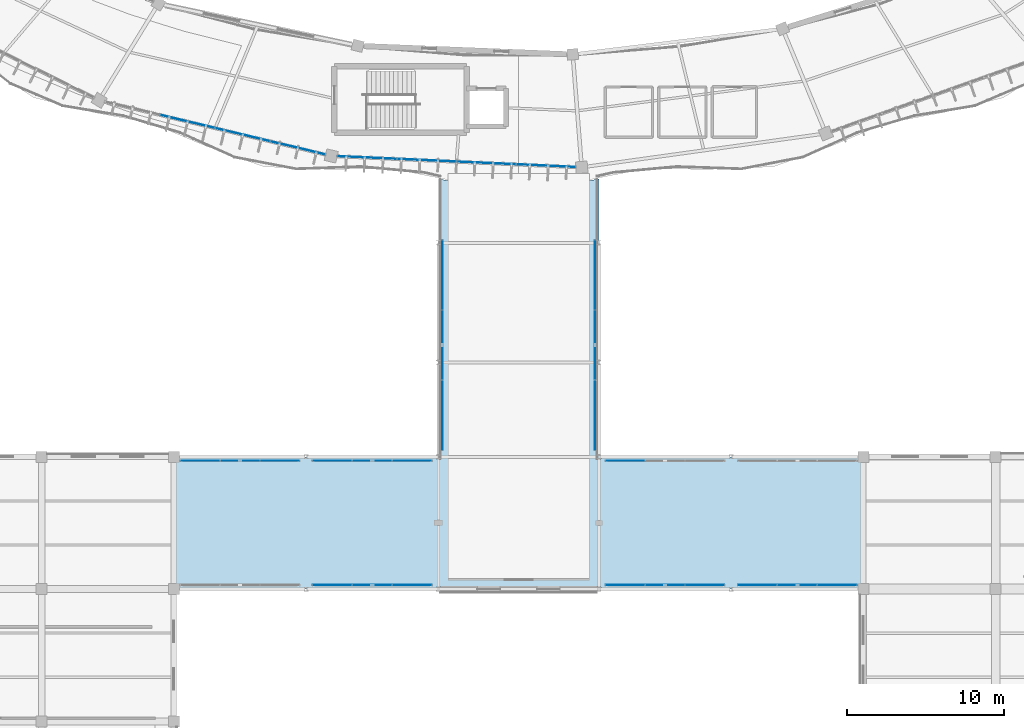
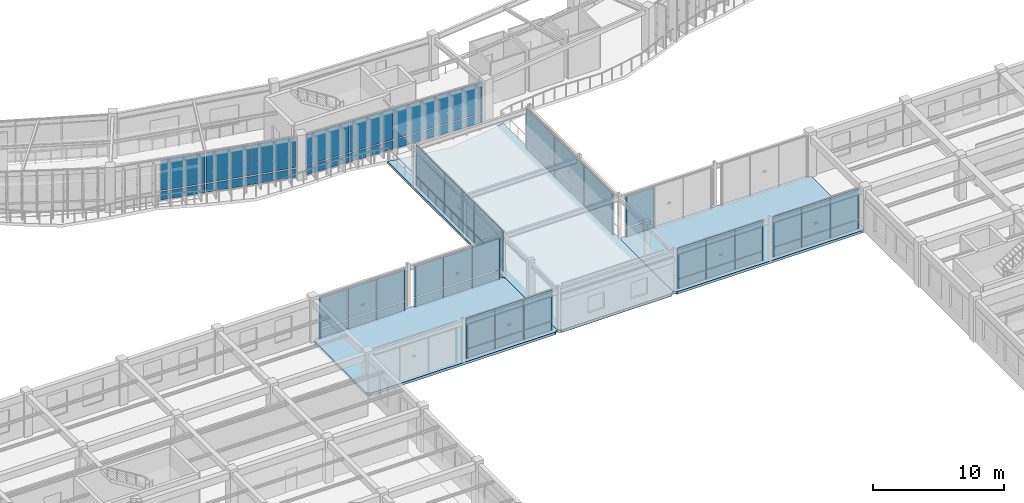
# One storey, part 112 of 152: 58 plates, 3 slabs, 10 elements without a shape of their own.
"""IFC4 building model written with IfcOpenShell, lengths in metres."""

from ifc_helpers import new_model, si_unit, direction, frame, origin, origin_2d, place, context, subcontext, project, spatial, polyline, rectangle, outline, extrude, material, layer, layer_set, type_object, element, aggregate, save


model = new_model("IFC4")

# Units and contexts
model_context = context("Model", 3, precision=1e-05, world=origin(), true_north=direction((0.0, 1.0)))
body_context = subcontext(model_context, "Body", "Model", "MODEL_VIEW")
ifc_project = project(units=[si_unit("LENGTHUNIT", "METRE"), si_unit("AREAUNIT", "SQUARE_METRE"), si_unit("VOLUMEUNIT", "CUBIC_METRE"), si_unit("PLANEANGLEUNIT", "RADIAN"), si_unit("MASSUNIT", "GRAM", prefix="KILO"), si_unit("THERMODYNAMICTEMPERATUREUNIT", "KELVIN"), si_unit("POWERUNIT", "WATT")], contexts=[model_context])

# Site, building, storey
site_placement = place(None, origin())
site = spatial("IfcSite", under=ifc_project, at=site_placement, CompositionType="ELEMENT")
building_placement = place(site_placement, origin())
building = spatial("IfcBuilding", under=site, at=building_placement, Name="Darbajah Civic Hall", CompositionType="ELEMENT")
storey_placement = place(building_placement, frame((0.0, 0.0, 5.39990234375)))
storey = spatial("IfcBuildingStorey", under=building, at=storey_placement, Name="L01", CompositionType="ELEMENT", Elevation=5.39990234375)

# Curtain wall, plates
ifc_material_1 = material(Name="Anodised Bronze Aluminium and Low-E Glazing", Category="aluminium")
curtain_wall_type_1 = type_object("IfcCurtainWallType", Name="Unitised Curtain Wall CW-32 15200x3900", PredefinedType="USERDEFINED", material=ifc_material_1)
curtain_wall_1_placement = place(storey_placement, origin())
curtain_wall_1 = element("IfcCurtainWall", 1, at=curtain_wall_1_placement, inside=storey, type_object=curtain_wall_type_1, Name="L01 unitised curtain wall CW-V1O-L01-14", ObjectType="UNITISED CURTAIN WALL", PredefinedType="USERDEFINED")
ifc_material_2 = material(Name="Low-E Solar Control Double Glazing", Category="glass")
ifc_layer_1 = layer(ifc_material_2, 0.02392578125, Name="Low-E Solar Control Double Glazing")
ifc_layer_set_1 = layer_set([ifc_layer_1], Name="Low-E Solar Control Double Glazing")
plate_type_1 = type_object("IfcPlateType", Name="Solar Double Glazing 24mm", PredefinedType="CURTAIN_PANEL", material=ifc_layer_set_1)
plate_1_placement = place(storey_placement, frame((79.465087890625, 61.01171875, 0.10009765625), z_axis=(0.0, 0.0, 1.0), x_axis=(0.998962637241, -0.045537340693, 0.0)))
plate_1 = element("IfcPlate", 2, at=plate_1_placement, type_object=plate_type_1, Name="CW-V1O-L01-14 glazed panel 1.1", PredefinedType="CURTAIN_PANEL", context=body_context, shape_type="SweptSolid", body=[
    extrude(rectangle(XDim=3.727294921875, YDim=0.02392578125, at=origin_2d()), origin(), (0.0, 0.0, 1.0), 0.800048828125),
])
plate_2_placement = place(storey_placement, frame((79.465087890625, 61.01171875, 1.0), z_axis=(0.0, 0.0, 1.0), x_axis=(0.998962637241, -0.045537340693, 0.0)))
plate_2 = element("IfcPlate", 3, at=plate_2_placement, type_object=plate_type_1, Name="CW-V1O-L01-14 glazed panel 1.2", PredefinedType="CURTAIN_PANEL", context=body_context, shape_type="SweptSolid", body=[
    extrude(rectangle(XDim=3.727294921875, YDim=0.02392578125, at=origin_2d()), origin(), (0.0, 0.0, 1.0), 2.820068359375),
])
plate_3_placement = place(storey_placement, frame((83.253662109375, 60.839111328125, 0.10009765625), z_axis=(0.0, 0.0, 1.0), x_axis=(0.998962637241, -0.045537340693, 0.0)))
plate_3 = element("IfcPlate", 4, at=plate_3_placement, type_object=plate_type_1, Name="CW-V1O-L01-14 glazed panel 2.1", PredefinedType="CURTAIN_PANEL", context=body_context, shape_type="SweptSolid", body=[
    extrude(rectangle(XDim=3.727294921875, YDim=0.02392578125, at=origin_2d()), origin(), (0.0, 0.0, 1.0), 0.800048828125),
])
plate_4_placement = place(storey_placement, frame((83.253662109375, 60.839111328125, 1.0), z_axis=(0.0, 0.0, 1.0), x_axis=(0.998962637241, -0.045537340693, 0.0)))
plate_4 = element("IfcPlate", 5, at=plate_4_placement, type_object=plate_type_1, Name="CW-V1O-L01-14 glazed panel 2.2", PredefinedType="CURTAIN_PANEL", context=body_context, shape_type="SweptSolid", body=[
    extrude(rectangle(XDim=3.727294921875, YDim=0.02392578125, at=origin_2d()), origin(), (0.0, 0.0, 1.0), 2.820068359375),
])
plate_5_placement = place(storey_placement, frame((87.0419921875, 60.666748046875, 0.10009765625), z_axis=(0.0, 0.0, 1.0), x_axis=(0.998962637241, -0.045537340693, 0.0)))
plate_5 = element("IfcPlate", 6, at=plate_5_placement, type_object=plate_type_1, Name="CW-V1O-L01-14 glazed panel 3.1", PredefinedType="CURTAIN_PANEL", context=body_context, shape_type="SweptSolid", body=[
    extrude(rectangle(XDim=3.727294921875, YDim=0.02392578125, at=origin_2d()), origin(), (0.0, 0.0, 1.0), 0.800048828125),
])
plate_6_placement = place(storey_placement, frame((87.0419921875, 60.666748046875, 1.0), z_axis=(0.0, 0.0, 1.0), x_axis=(0.998962637241, -0.045537340693, 0.0)))
plate_6 = element("IfcPlate", 7, at=plate_6_placement, type_object=plate_type_1, Name="CW-V1O-L01-14 glazed panel 3.2", PredefinedType="CURTAIN_PANEL", context=body_context, shape_type="SweptSolid", body=[
    extrude(rectangle(XDim=3.727294921875, YDim=0.02392578125, at=origin_2d()), origin(), (0.0, 0.0, 1.0), 2.820068359375),
])
plate_7_placement = place(storey_placement, frame((90.83056640625, 60.494384765625, 0.10009765625), z_axis=(0.0, 0.0, 1.0), x_axis=(0.998962637241, -0.045537340693, 0.0)))
plate_7 = element("IfcPlate", 8, at=plate_7_placement, type_object=plate_type_1, Name="CW-V1O-L01-14 glazed panel 4.1", PredefinedType="CURTAIN_PANEL", context=body_context, shape_type="SweptSolid", body=[
    extrude(rectangle(XDim=3.727294921875, YDim=0.02392578125, at=origin_2d()), origin(), (0.0, 0.0, 1.0), 0.800048828125),
])
plate_8_placement = place(storey_placement, frame((90.83056640625, 60.494384765625, 1.0), z_axis=(0.0, 0.0, 1.0), x_axis=(0.998962637241, -0.045537340693, 0.0)))
plate_8 = element("IfcPlate", 9, at=plate_8_placement, type_object=plate_type_1, Name="CW-V1O-L01-14 glazed panel 4.2", PredefinedType="CURTAIN_PANEL", context=body_context, shape_type="SweptSolid", body=[
    extrude(rectangle(XDim=3.727294921875, YDim=0.02392578125, at=origin_2d()), origin(), (0.0, 0.0, 1.0), 2.820068359375),
])
aggregate(curtain_wall_1, [plate_1, plate_2, plate_3, plate_4, plate_5, plate_6, plate_7, plate_8])

curtain_wall_type_2 = type_object("IfcCurtainWallType", Name="Unitised Curtain Wall CW-103 7600x3950", PredefinedType="USERDEFINED", material=ifc_material_1)
curtain_wall_2_placement = place(storey_placement, origin())
curtain_wall_2 = element("IfcCurtainWall", 10, at=curtain_wall_2_placement, inside=storey, type_object=curtain_wall_type_2, Name="L01 unitised curtain wall CW-V6-SW-S2-L01", ObjectType="UNITISED CURTAIN WALL", PredefinedType="USERDEFINED")
plate_9_placement = place(storey_placement, frame((77.2666015625, 33.85009765625, 0.10009765625), z_axis=(0.0, 0.0, 1.0), x_axis=(1.0, 0.0, 0.0)))
plate_9 = element("IfcPlate", 11, at=plate_9_placement, type_object=plate_type_1, Name="CW-V6-SW-S2-L01 glazed panel 1.1", PredefinedType="CURTAIN_PANEL", context=body_context, shape_type="SweptSolid", body=[
    extrude(rectangle(XDim=2.46826171875, YDim=0.02392578125, at=origin_2d()), origin(), (0.0, 0.0, 1.0), 0.800048828125),
])
plate_10_placement = place(storey_placement, frame((77.2666015625, 33.85009765625, 1.0), z_axis=(0.0, 0.0, 1.0), x_axis=(1.0, 0.0, 0.0)))
plate_10 = element("IfcPlate", 12, at=plate_10_placement, type_object=plate_type_1, Name="CW-V6-SW-S2-L01 glazed panel 1.2", PredefinedType="CURTAIN_PANEL", context=body_context, shape_type="SweptSolid", body=[
    extrude(rectangle(XDim=2.46826171875, YDim=0.02392578125, at=origin_2d()), origin(), (0.0, 0.0, 1.0), 2.830078125),
])
plate_11_placement = place(storey_placement, frame((79.800048828125, 33.85009765625, 0.10009765625), z_axis=(0.0, 0.0, 1.0), x_axis=(1.0, 0.0, 0.0)))
plate_11 = element("IfcPlate", 13, at=plate_11_placement, type_object=plate_type_1, Name="CW-V6-SW-S2-L01 glazed panel 2.1", PredefinedType="CURTAIN_PANEL", context=body_context, shape_type="SweptSolid", body=[
    extrude(rectangle(XDim=2.46826171875, YDim=0.02392578125, at=origin_2d()), origin(), (0.0, 0.0, 1.0), 0.800048828125),
])
plate_12_placement = place(storey_placement, frame((79.800048828125, 33.85009765625, 1.0), z_axis=(0.0, 0.0, 1.0), x_axis=(1.0, 0.0, 0.0)))
plate_12 = element("IfcPlate", 14, at=plate_12_placement, type_object=plate_type_1, Name="CW-V6-SW-S2-L01 glazed panel 2.2", PredefinedType="CURTAIN_PANEL", context=body_context, shape_type="SweptSolid", body=[
    extrude(rectangle(XDim=2.46826171875, YDim=0.02392578125, at=origin_2d()), origin(), (0.0, 0.0, 1.0), 2.830078125),
])
plate_13_placement = place(storey_placement, frame((82.333251953125, 33.85009765625, 0.10009765625), z_axis=(0.0, 0.0, 1.0), x_axis=(1.0, 0.0, 0.0)))
plate_13 = element("IfcPlate", 15, at=plate_13_placement, type_object=plate_type_1, Name="CW-V6-SW-S2-L01 glazed panel 3.1", PredefinedType="CURTAIN_PANEL", context=body_context, shape_type="SweptSolid", body=[
    extrude(rectangle(XDim=2.46826171875, YDim=0.02392578125, at=origin_2d()), origin(), (0.0, 0.0, 1.0), 0.800048828125),
])
plate_14_placement = place(storey_placement, frame((82.333251953125, 33.85009765625, 1.0), z_axis=(0.0, 0.0, 1.0), x_axis=(1.0, 0.0, 0.0)))
plate_14 = element("IfcPlate", 16, at=plate_14_placement, type_object=plate_type_1, Name="CW-V6-SW-S2-L01 glazed panel 3.2", PredefinedType="CURTAIN_PANEL", context=body_context, shape_type="SweptSolid", body=[
    extrude(rectangle(XDim=2.46826171875, YDim=0.02392578125, at=origin_2d()), origin(), (0.0, 0.0, 1.0), 2.830078125),
])
aggregate(curtain_wall_2, [plate_9, plate_10, plate_11, plate_12, plate_13, plate_14])

curtain_wall_3_placement = place(storey_placement, origin())
curtain_wall_3 = element("IfcCurtainWall", 17, at=curtain_wall_3_placement, inside=storey, type_object=curtain_wall_type_2, Name="L01 unitised curtain wall CW-V6-SW-N-L01", ObjectType="UNITISED CURTAIN WALL", PredefinedType="USERDEFINED")
plate_15_placement = place(storey_placement, frame((68.86669921875, 41.75, 0.10009765625), z_axis=(0.0, 0.0, 1.0), x_axis=(1.0, 0.0, 0.0)))
plate_15 = element("IfcPlate", 18, at=plate_15_placement, type_object=plate_type_1, Name="CW-V6-SW-N-L01 glazed panel 1.1", PredefinedType="CURTAIN_PANEL", context=body_context, shape_type="SweptSolid", body=[
    extrude(rectangle(XDim=2.46826171875, YDim=0.02392578125, at=origin_2d()), origin(), (0.0, 0.0, 1.0), 0.800048828125),
])
plate_16_placement = place(storey_placement, frame((68.86669921875, 41.75, 1.0), z_axis=(0.0, 0.0, 1.0), x_axis=(1.0, 0.0, 0.0)))
plate_16 = element("IfcPlate", 19, at=plate_16_placement, type_object=plate_type_1, Name="CW-V6-SW-N-L01 glazed panel 1.2", PredefinedType="CURTAIN_PANEL", context=body_context, shape_type="SweptSolid", body=[
    extrude(rectangle(XDim=2.46826171875, YDim=0.02392578125, at=origin_2d()), origin(), (0.0, 0.0, 1.0), 2.830078125),
])
plate_17_placement = place(storey_placement, frame((71.39990234375, 41.75, 0.10009765625), z_axis=(0.0, 0.0, 1.0), x_axis=(1.0, 0.0, 0.0)))
plate_17 = element("IfcPlate", 20, at=plate_17_placement, type_object=plate_type_1, Name="CW-V6-SW-N-L01 glazed panel 2.1", PredefinedType="CURTAIN_PANEL", context=body_context, shape_type="SweptSolid", body=[
    extrude(rectangle(XDim=2.46826171875, YDim=0.02392578125, at=origin_2d()), origin(), (0.0, 0.0, 1.0), 0.800048828125),
])
plate_18_placement = place(storey_placement, frame((71.39990234375, 41.75, 1.0), z_axis=(0.0, 0.0, 1.0), x_axis=(1.0, 0.0, 0.0)))
plate_18 = element("IfcPlate", 21, at=plate_18_placement, type_object=plate_type_1, Name="CW-V6-SW-N-L01 glazed panel 2.2", PredefinedType="CURTAIN_PANEL", context=body_context, shape_type="SweptSolid", body=[
    extrude(rectangle(XDim=2.46826171875, YDim=0.02392578125, at=origin_2d()), origin(), (0.0, 0.0, 1.0), 2.830078125),
])
plate_19_placement = place(storey_placement, frame((73.933349609375, 41.75, 0.10009765625), z_axis=(0.0, 0.0, 1.0), x_axis=(1.0, 0.0, 0.0)))
plate_19 = element("IfcPlate", 22, at=plate_19_placement, type_object=plate_type_1, Name="CW-V6-SW-N-L01 glazed panel 3.1", PredefinedType="CURTAIN_PANEL", context=body_context, shape_type="SweptSolid", body=[
    extrude(rectangle(XDim=2.46826171875, YDim=0.02392578125, at=origin_2d()), origin(), (0.0, 0.0, 1.0), 0.800048828125),
])
plate_20_placement = place(storey_placement, frame((73.933349609375, 41.75, 1.0), z_axis=(0.0, 0.0, 1.0), x_axis=(1.0, 0.0, 0.0)))
plate_20 = element("IfcPlate", 23, at=plate_20_placement, type_object=plate_type_1, Name="CW-V6-SW-N-L01 glazed panel 3.2", PredefinedType="CURTAIN_PANEL", context=body_context, shape_type="SweptSolid", body=[
    extrude(rectangle(XDim=2.46826171875, YDim=0.02392578125, at=origin_2d()), origin(), (0.0, 0.0, 1.0), 2.830078125),
])
aggregate(curtain_wall_3, [plate_15, plate_16, plate_17, plate_18, plate_19, plate_20])

curtain_wall_4_placement = place(storey_placement, origin())
curtain_wall_4 = element("IfcCurtainWall", 24, at=curtain_wall_4_placement, inside=storey, type_object=curtain_wall_type_2, Name="L01 unitised curtain wall CW-V6-SW-N2-L01", ObjectType="UNITISED CURTAIN WALL", PredefinedType="USERDEFINED")
plate_21_placement = place(storey_placement, frame((77.2666015625, 41.75, 0.10009765625), z_axis=(0.0, 0.0, 1.0), x_axis=(1.0, 0.0, 0.0)))
plate_21 = element("IfcPlate", 25, at=plate_21_placement, type_object=plate_type_1, Name="CW-V6-SW-N2-L01 glazed panel 1.1", PredefinedType="CURTAIN_PANEL", context=body_context, shape_type="SweptSolid", body=[
    extrude(rectangle(XDim=2.46826171875, YDim=0.02392578125, at=origin_2d()), origin(), (0.0, 0.0, 1.0), 0.800048828125),
])
plate_22_placement = place(storey_placement, frame((77.2666015625, 41.75, 1.0), z_axis=(0.0, 0.0, 1.0), x_axis=(1.0, 0.0, 0.0)))
plate_22 = element("IfcPlate", 26, at=plate_22_placement, type_object=plate_type_1, Name="CW-V6-SW-N2-L01 glazed panel 1.2", PredefinedType="CURTAIN_PANEL", context=body_context, shape_type="SweptSolid", body=[
    extrude(rectangle(XDim=2.46826171875, YDim=0.02392578125, at=origin_2d()), origin(), (0.0, 0.0, 1.0), 2.830078125),
])
plate_23_placement = place(storey_placement, frame((79.800048828125, 41.75, 0.10009765625), z_axis=(0.0, 0.0, 1.0), x_axis=(1.0, 0.0, 0.0)))
plate_23 = element("IfcPlate", 27, at=plate_23_placement, type_object=plate_type_1, Name="CW-V6-SW-N2-L01 glazed panel 2.1", PredefinedType="CURTAIN_PANEL", context=body_context, shape_type="SweptSolid", body=[
    extrude(rectangle(XDim=2.46826171875, YDim=0.02392578125, at=origin_2d()), origin(), (0.0, 0.0, 1.0), 0.800048828125),
])
plate_24_placement = place(storey_placement, frame((79.800048828125, 41.75, 1.0), z_axis=(0.0, 0.0, 1.0), x_axis=(1.0, 0.0, 0.0)))
plate_24 = element("IfcPlate", 28, at=plate_24_placement, type_object=plate_type_1, Name="CW-V6-SW-N2-L01 glazed panel 2.2", PredefinedType="CURTAIN_PANEL", context=body_context, shape_type="SweptSolid", body=[
    extrude(rectangle(XDim=2.46826171875, YDim=0.02392578125, at=origin_2d()), origin(), (0.0, 0.0, 1.0), 2.830078125),
])
plate_25_placement = place(storey_placement, frame((82.333251953125, 41.75, 0.10009765625), z_axis=(0.0, 0.0, 1.0), x_axis=(1.0, 0.0, 0.0)))
plate_25 = element("IfcPlate", 29, at=plate_25_placement, type_object=plate_type_1, Name="CW-V6-SW-N2-L01 glazed panel 3.1", PredefinedType="CURTAIN_PANEL", context=body_context, shape_type="SweptSolid", body=[
    extrude(rectangle(XDim=2.46826171875, YDim=0.02392578125, at=origin_2d()), origin(), (0.0, 0.0, 1.0), 0.800048828125),
])
plate_26_placement = place(storey_placement, frame((82.333251953125, 41.75, 1.0), z_axis=(0.0, 0.0, 1.0), x_axis=(1.0, 0.0, 0.0)))
plate_26 = element("IfcPlate", 30, at=plate_26_placement, type_object=plate_type_1, Name="CW-V6-SW-N2-L01 glazed panel 3.2", PredefinedType="CURTAIN_PANEL", context=body_context, shape_type="SweptSolid", body=[
    extrude(rectangle(XDim=2.46826171875, YDim=0.02392578125, at=origin_2d()), origin(), (0.0, 0.0, 1.0), 2.830078125),
])
aggregate(curtain_wall_4, [plate_21, plate_22, plate_23, plate_24, plate_25, plate_26])

curtain_wall_5_placement = place(storey_placement, origin())
curtain_wall_5 = element("IfcCurtainWall", 31, at=curtain_wall_5_placement, inside=storey, type_object=curtain_wall_type_2, Name="L01 unitised curtain wall CW-V6-SE-S-L01", ObjectType="UNITISED CURTAIN WALL", PredefinedType="USERDEFINED")
plate_27_placement = place(storey_placement, frame((95.86669921875, 33.85009765625, 0.10009765625), z_axis=(0.0, 0.0, 1.0), x_axis=(1.0, 0.0, 0.0)))
plate_27 = element("IfcPlate", 32, at=plate_27_placement, type_object=plate_type_1, Name="CW-V6-SE-S-L01 glazed panel 1.1", PredefinedType="CURTAIN_PANEL", context=body_context, shape_type="SweptSolid", body=[
    extrude(rectangle(XDim=2.46826171875, YDim=0.02392578125, at=origin_2d()), origin(), (0.0, 0.0, 1.0), 0.800048828125),
])
plate_28_placement = place(storey_placement, frame((95.86669921875, 33.85009765625, 1.0), z_axis=(0.0, 0.0, 1.0), x_axis=(1.0, 0.0, 0.0)))
plate_28 = element("IfcPlate", 33, at=plate_28_placement, type_object=plate_type_1, Name="CW-V6-SE-S-L01 glazed panel 1.2", PredefinedType="CURTAIN_PANEL", context=body_context, shape_type="SweptSolid", body=[
    extrude(rectangle(XDim=2.46826171875, YDim=0.02392578125, at=origin_2d()), origin(), (0.0, 0.0, 1.0), 2.830078125),
])
plate_29_placement = place(storey_placement, frame((98.39990234375, 33.85009765625, 0.10009765625), z_axis=(0.0, 0.0, 1.0), x_axis=(1.0, 0.0, 0.0)))
plate_29 = element("IfcPlate", 34, at=plate_29_placement, type_object=plate_type_1, Name="CW-V6-SE-S-L01 glazed panel 2.1", PredefinedType="CURTAIN_PANEL", context=body_context, shape_type="SweptSolid", body=[
    extrude(rectangle(XDim=2.46826171875, YDim=0.02392578125, at=origin_2d()), origin(), (0.0, 0.0, 1.0), 0.800048828125),
])
plate_30_placement = place(storey_placement, frame((98.39990234375, 33.85009765625, 1.0), z_axis=(0.0, 0.0, 1.0), x_axis=(1.0, 0.0, 0.0)))
plate_30 = element("IfcPlate", 35, at=plate_30_placement, type_object=plate_type_1, Name="CW-V6-SE-S-L01 glazed panel 2.2", PredefinedType="CURTAIN_PANEL", context=body_context, shape_type="SweptSolid", body=[
    extrude(rectangle(XDim=2.46826171875, YDim=0.02392578125, at=origin_2d()), origin(), (0.0, 0.0, 1.0), 2.830078125),
])
plate_31_placement = place(storey_placement, frame((100.933349609375, 33.85009765625, 0.10009765625), z_axis=(0.0, 0.0, 1.0), x_axis=(1.0, 0.0, 0.0)))
plate_31 = element("IfcPlate", 36, at=plate_31_placement, type_object=plate_type_1, Name="CW-V6-SE-S-L01 glazed panel 3.1", PredefinedType="CURTAIN_PANEL", context=body_context, shape_type="SweptSolid", body=[
    extrude(rectangle(XDim=2.46826171875, YDim=0.02392578125, at=origin_2d()), origin(), (0.0, 0.0, 1.0), 0.800048828125),
])
plate_32_placement = place(storey_placement, frame((100.933349609375, 33.85009765625, 1.0), z_axis=(0.0, 0.0, 1.0), x_axis=(1.0, 0.0, 0.0)))
plate_32 = element("IfcPlate", 37, at=plate_32_placement, type_object=plate_type_1, Name="CW-V6-SE-S-L01 glazed panel 3.2", PredefinedType="CURTAIN_PANEL", context=body_context, shape_type="SweptSolid", body=[
    extrude(rectangle(XDim=2.46826171875, YDim=0.02392578125, at=origin_2d()), origin(), (0.0, 0.0, 1.0), 2.830078125),
])
aggregate(curtain_wall_5, [plate_27, plate_28, plate_29, plate_30, plate_31, plate_32])

curtain_wall_6_placement = place(storey_placement, origin())
curtain_wall_6 = element("IfcCurtainWall", 38, at=curtain_wall_6_placement, inside=storey, type_object=curtain_wall_type_2, Name="L01 unitised curtain wall CW-V6-SE-S2-L01", ObjectType="UNITISED CURTAIN WALL", PredefinedType="USERDEFINED")
plate_33_placement = place(storey_placement, frame((104.2666015625, 33.85009765625, 0.10009765625), z_axis=(0.0, 0.0, 1.0), x_axis=(1.0, 0.0, 0.0)))
plate_33 = element("IfcPlate", 39, at=plate_33_placement, type_object=plate_type_1, Name="CW-V6-SE-S2-L01 glazed panel 1.1", PredefinedType="CURTAIN_PANEL", context=body_context, shape_type="SweptSolid", body=[
    extrude(rectangle(XDim=2.46826171875, YDim=0.02392578125, at=origin_2d()), origin(), (0.0, 0.0, 1.0), 0.800048828125),
])
plate_34_placement = place(storey_placement, frame((104.2666015625, 33.85009765625, 1.0), z_axis=(0.0, 0.0, 1.0), x_axis=(1.0, 0.0, 0.0)))
plate_34 = element("IfcPlate", 40, at=plate_34_placement, type_object=plate_type_1, Name="CW-V6-SE-S2-L01 glazed panel 1.2", PredefinedType="CURTAIN_PANEL", context=body_context, shape_type="SweptSolid", body=[
    extrude(rectangle(XDim=2.46826171875, YDim=0.02392578125, at=origin_2d()), origin(), (0.0, 0.0, 1.0), 2.830078125),
])
plate_35_placement = place(storey_placement, frame((106.800048828125, 33.85009765625, 0.10009765625), z_axis=(0.0, 0.0, 1.0), x_axis=(1.0, 0.0, 0.0)))
plate_35 = element("IfcPlate", 41, at=plate_35_placement, type_object=plate_type_1, Name="CW-V6-SE-S2-L01 glazed panel 2.1", PredefinedType="CURTAIN_PANEL", context=body_context, shape_type="SweptSolid", body=[
    extrude(rectangle(XDim=2.46826171875, YDim=0.02392578125, at=origin_2d()), origin(), (0.0, 0.0, 1.0), 0.800048828125),
])
plate_36_placement = place(storey_placement, frame((106.800048828125, 33.85009765625, 1.0), z_axis=(0.0, 0.0, 1.0), x_axis=(1.0, 0.0, 0.0)))
plate_36 = element("IfcPlate", 42, at=plate_36_placement, type_object=plate_type_1, Name="CW-V6-SE-S2-L01 glazed panel 2.2", PredefinedType="CURTAIN_PANEL", context=body_context, shape_type="SweptSolid", body=[
    extrude(rectangle(XDim=2.46826171875, YDim=0.02392578125, at=origin_2d()), origin(), (0.0, 0.0, 1.0), 2.830078125),
])
plate_37_placement = place(storey_placement, frame((109.333251953125, 33.85009765625, 0.10009765625), z_axis=(0.0, 0.0, 1.0), x_axis=(1.0, 0.0, 0.0)))
plate_37 = element("IfcPlate", 43, at=plate_37_placement, type_object=plate_type_1, Name="CW-V6-SE-S2-L01 glazed panel 3.1", PredefinedType="CURTAIN_PANEL", context=body_context, shape_type="SweptSolid", body=[
    extrude(rectangle(XDim=2.46826171875, YDim=0.02392578125, at=origin_2d()), origin(), (0.0, 0.0, 1.0), 0.800048828125),
])
plate_38_placement = place(storey_placement, frame((109.333251953125, 33.85009765625, 1.0), z_axis=(0.0, 0.0, 1.0), x_axis=(1.0, 0.0, 0.0)))
plate_38 = element("IfcPlate", 44, at=plate_38_placement, type_object=plate_type_1, Name="CW-V6-SE-S2-L01 glazed panel 3.2", PredefinedType="CURTAIN_PANEL", context=body_context, shape_type="SweptSolid", body=[
    extrude(rectangle(XDim=2.46826171875, YDim=0.02392578125, at=origin_2d()), origin(), (0.0, 0.0, 1.0), 2.830078125),
])
aggregate(curtain_wall_6, [plate_33, plate_34, plate_35, plate_36, plate_37, plate_38])

curtain_wall_7_placement = place(storey_placement, origin())
curtain_wall_7 = element("IfcCurtainWall", 45, at=curtain_wall_7_placement, inside=storey, type_object=curtain_wall_type_2, Name="L01 unitised curtain wall CW-V6-SE-N-L01", ObjectType="UNITISED CURTAIN WALL", PredefinedType="USERDEFINED")
plate_39_placement = place(storey_placement, frame((95.86669921875, 41.75, 0.10009765625), z_axis=(0.0, 0.0, 1.0), x_axis=(1.0, 0.0, 0.0)))
plate_39 = element("IfcPlate", 46, at=plate_39_placement, type_object=plate_type_1, Name="CW-V6-SE-N-L01 glazed panel 1.1", PredefinedType="CURTAIN_PANEL", context=body_context, shape_type="SweptSolid", body=[
    extrude(rectangle(XDim=2.46826171875, YDim=0.02392578125, at=origin_2d()), origin(), (0.0, 0.0, 1.0), 0.800048828125),
])
plate_40_placement = place(storey_placement, frame((95.86669921875, 41.75, 1.0), z_axis=(0.0, 0.0, 1.0), x_axis=(1.0, 0.0, 0.0)))
plate_40 = element("IfcPlate", 47, at=plate_40_placement, type_object=plate_type_1, Name="CW-V6-SE-N-L01 glazed panel 1.2", PredefinedType="CURTAIN_PANEL", context=body_context, shape_type="SweptSolid", body=[
    extrude(rectangle(XDim=2.46826171875, YDim=0.02392578125, at=origin_2d()), origin(), (0.0, 0.0, 1.0), 2.830078125),
])
aggregate(curtain_wall_7, [plate_39, plate_40])

curtain_wall_type_3 = type_object("IfcCurtainWallType", Name="Unitised Curtain Wall CW-104 13400x3950", PredefinedType="USERDEFINED", material=ifc_material_1)
curtain_wall_8_placement = place(storey_placement, origin())
curtain_wall_8 = element("IfcCurtainWall", 48, at=curtain_wall_8_placement, inside=storey, type_object=curtain_wall_type_3, Name="L01 unitised curtain wall CW-V6-PW-L01", ObjectType="UNITISED CURTAIN WALL", PredefinedType="USERDEFINED")
plate_41_placement = place(storey_placement, frame((84.25, 44.63330078125, 0.10009765625), z_axis=(0.0, 0.0, 1.0), x_axis=(0.0, 1.0, 0.0)))
plate_41 = element("IfcPlate", 49, at=plate_41_placement, type_object=plate_type_1, Name="CW-V6-PW-L01 glazed panel 1.1", PredefinedType="CURTAIN_PANEL", context=body_context, shape_type="SweptSolid", body=[
    extrude(rectangle(XDim=4.401611328125, YDim=0.02392578125, at=origin_2d()), origin(), (0.0, 0.0, 1.0), 0.800048828125),
])
plate_42_placement = place(storey_placement, frame((84.25, 44.63330078125, 1.0), z_axis=(0.0, 0.0, 1.0), x_axis=(0.0, 1.0, 0.0)))
plate_42 = element("IfcPlate", 50, at=plate_42_placement, type_object=plate_type_1, Name="CW-V6-PW-L01 glazed panel 1.2", PredefinedType="CURTAIN_PANEL", context=body_context, shape_type="SweptSolid", body=[
    extrude(rectangle(XDim=4.401611328125, YDim=0.02392578125, at=origin_2d()), origin(), (0.0, 0.0, 1.0), 2.830078125),
])
plate_43_placement = place(storey_placement, frame((84.25, 49.10009765625, 0.10009765625), z_axis=(0.0, 0.0, 1.0), x_axis=(0.0, 1.0, 0.0)))
plate_43 = element("IfcPlate", 51, at=plate_43_placement, type_object=plate_type_1, Name="CW-V6-PW-L01 glazed panel 2.1", PredefinedType="CURTAIN_PANEL", context=body_context, shape_type="SweptSolid", body=[
    extrude(rectangle(XDim=4.401611328125, YDim=0.02392578125, at=origin_2d()), origin(), (0.0, 0.0, 1.0), 0.800048828125),
])
plate_44_placement = place(storey_placement, frame((84.25, 49.10009765625, 1.0), z_axis=(0.0, 0.0, 1.0), x_axis=(0.0, 1.0, 0.0)))
plate_44 = element("IfcPlate", 52, at=plate_44_placement, type_object=plate_type_1, Name="CW-V6-PW-L01 glazed panel 2.2", PredefinedType="CURTAIN_PANEL", context=body_context, shape_type="SweptSolid", body=[
    extrude(rectangle(XDim=4.401611328125, YDim=0.02392578125, at=origin_2d()), origin(), (0.0, 0.0, 1.0), 2.830078125),
])
plate_45_placement = place(storey_placement, frame((84.25, 53.566650390625, 0.10009765625), z_axis=(0.0, 0.0, 1.0), x_axis=(0.0, 1.0, 0.0)))
plate_45 = element("IfcPlate", 53, at=plate_45_placement, type_object=plate_type_1, Name="CW-V6-PW-L01 glazed panel 3.1", PredefinedType="CURTAIN_PANEL", context=body_context, shape_type="SweptSolid", body=[
    extrude(rectangle(XDim=4.401611328125, YDim=0.02392578125, at=origin_2d()), origin(), (0.0, 0.0, 1.0), 0.800048828125),
])
plate_46_placement = place(storey_placement, frame((84.25, 53.566650390625, 1.0), z_axis=(0.0, 0.0, 1.0), x_axis=(0.0, 1.0, 0.0)))
plate_46 = element("IfcPlate", 54, at=plate_46_placement, type_object=plate_type_1, Name="CW-V6-PW-L01 glazed panel 3.2", PredefinedType="CURTAIN_PANEL", context=body_context, shape_type="SweptSolid", body=[
    extrude(rectangle(XDim=4.401611328125, YDim=0.02392578125, at=origin_2d()), origin(), (0.0, 0.0, 1.0), 2.830078125),
])
aggregate(curtain_wall_8, [plate_41, plate_42, plate_43, plate_44, plate_45, plate_46])

curtain_wall_9_placement = place(storey_placement, origin())
curtain_wall_9 = element("IfcCurtainWall", 55, at=curtain_wall_9_placement, inside=storey, type_object=curtain_wall_type_3, Name="L01 unitised curtain wall CW-V6-PE-L01", ObjectType="UNITISED CURTAIN WALL", PredefinedType="USERDEFINED")
plate_47_placement = place(storey_placement, frame((93.949951171875, 44.63330078125, 0.10009765625), z_axis=(0.0, 0.0, 1.0), x_axis=(0.0, 1.0, 0.0)))
plate_47 = element("IfcPlate", 56, at=plate_47_placement, type_object=plate_type_1, Name="CW-V6-PE-L01 glazed panel 1.1", PredefinedType="CURTAIN_PANEL", context=body_context, shape_type="SweptSolid", body=[
    extrude(rectangle(XDim=4.401611328125, YDim=0.02392578125, at=origin_2d()), origin(), (0.0, 0.0, 1.0), 0.800048828125),
])
plate_48_placement = place(storey_placement, frame((93.949951171875, 44.63330078125, 1.0), z_axis=(0.0, 0.0, 1.0), x_axis=(0.0, 1.0, 0.0)))
plate_48 = element("IfcPlate", 57, at=plate_48_placement, type_object=plate_type_1, Name="CW-V6-PE-L01 glazed panel 1.2", PredefinedType="CURTAIN_PANEL", context=body_context, shape_type="SweptSolid", body=[
    extrude(rectangle(XDim=4.401611328125, YDim=0.02392578125, at=origin_2d()), origin(), (0.0, 0.0, 1.0), 2.830078125),
])
plate_49_placement = place(storey_placement, frame((93.949951171875, 49.10009765625, 0.10009765625), z_axis=(0.0, 0.0, 1.0), x_axis=(0.0, 1.0, 0.0)))
plate_49 = element("IfcPlate", 58, at=plate_49_placement, type_object=plate_type_1, Name="CW-V6-PE-L01 glazed panel 2.1", PredefinedType="CURTAIN_PANEL", context=body_context, shape_type="SweptSolid", body=[
    extrude(rectangle(XDim=4.401611328125, YDim=0.02392578125, at=origin_2d()), origin(), (0.0, 0.0, 1.0), 0.800048828125),
])
plate_50_placement = place(storey_placement, frame((93.949951171875, 49.10009765625, 1.0), z_axis=(0.0, 0.0, 1.0), x_axis=(0.0, 1.0, 0.0)))
plate_50 = element("IfcPlate", 59, at=plate_50_placement, type_object=plate_type_1, Name="CW-V6-PE-L01 glazed panel 2.2", PredefinedType="CURTAIN_PANEL", context=body_context, shape_type="SweptSolid", body=[
    extrude(rectangle(XDim=4.401611328125, YDim=0.02392578125, at=origin_2d()), origin(), (0.0, 0.0, 1.0), 2.830078125),
])
plate_51_placement = place(storey_placement, frame((93.949951171875, 53.566650390625, 0.10009765625), z_axis=(0.0, 0.0, 1.0), x_axis=(0.0, 1.0, 0.0)))
plate_51 = element("IfcPlate", 60, at=plate_51_placement, type_object=plate_type_1, Name="CW-V6-PE-L01 glazed panel 3.1", PredefinedType="CURTAIN_PANEL", context=body_context, shape_type="SweptSolid", body=[
    extrude(rectangle(XDim=4.401611328125, YDim=0.02392578125, at=origin_2d()), origin(), (0.0, 0.0, 1.0), 0.800048828125),
])
plate_52_placement = place(storey_placement, frame((93.949951171875, 53.566650390625, 1.0), z_axis=(0.0, 0.0, 1.0), x_axis=(0.0, 1.0, 0.0)))
plate_52 = element("IfcPlate", 61, at=plate_52_placement, type_object=plate_type_1, Name="CW-V6-PE-L01 glazed panel 3.2", PredefinedType="CURTAIN_PANEL", context=body_context, shape_type="SweptSolid", body=[
    extrude(rectangle(XDim=4.401611328125, YDim=0.02392578125, at=origin_2d()), origin(), (0.0, 0.0, 1.0), 2.830078125),
])
aggregate(curtain_wall_9, [plate_47, plate_48, plate_49, plate_50, plate_51, plate_52])

curtain_wall_type_4 = type_object("IfcCurtainWallType", Name="Unitised Curtain Wall CW-31 14400x3900", PredefinedType="USERDEFINED", material=ifc_material_1)
curtain_wall_10_placement = place(storey_placement, origin())
curtain_wall_10 = element("IfcCurtainWall", 62, at=curtain_wall_10_placement, inside=storey, type_object=curtain_wall_type_4, Name="L01 unitised curtain wall CW-V1O-L01-13", ObjectType="UNITISED CURTAIN WALL", PredefinedType="USERDEFINED")
ifc_layer_2 = layer(ifc_material_2, 0.028076171875, Name="Low-E Solar Control Double Glazing")
ifc_layer_set_2 = layer_set([ifc_layer_2], Name="Low-E Solar Control Double Glazing")
plate_type_2 = type_object("IfcPlateType", Name="Solar Double Glazing 28mm", PredefinedType="CURTAIN_PANEL", material=ifc_layer_set_2)
plate_53_placement = place(storey_placement, frame((68.072509765625, 63.30078125, 0.1201171875), z_axis=(0.0, 0.0, 1.0), x_axis=(0.972492018808, -0.232936200179, 0.0)))
plate_53 = element("IfcPlate", 63, at=plate_53_placement, type_object=plate_type_2, Name="CW-V1O-L01-13 glazed panel 2.1", PredefinedType="CURTAIN_PANEL", context=body_context, shape_type="SweptSolid", body=[
    extrude(rectangle(XDim=3.53125, YDim=0.028076171875, at=origin_2d()), origin(), (0.0, 0.0, 1.0), 0.77001953125),
])
plate_54_placement = place(storey_placement, frame((68.072509765625, 63.30078125, 1.010009765625), z_axis=(0.0, 0.0, 1.0), x_axis=(0.972492018808, -0.232936200179, 0.0)))
plate_54 = element("IfcPlate", 64, at=plate_54_placement, type_object=plate_type_2, Name="CW-V1O-L01-13 glazed panel 2.2", PredefinedType="CURTAIN_PANEL", context=body_context, shape_type="SweptSolid", body=[
    extrude(rectangle(XDim=3.53125, YDim=0.028076171875, at=origin_2d()), origin(), (0.0, 0.0, 1.0), 2.7900390625),
])
plate_55_placement = place(storey_placement, frame((71.574462890625, 62.461669921875, 0.1201171875), z_axis=(0.0, 0.0, 1.0), x_axis=(0.972492018808, -0.232936200179, 0.0)))
plate_55 = element("IfcPlate", 65, at=plate_55_placement, type_object=plate_type_2, Name="CW-V1O-L01-13 glazed panel 3.1", PredefinedType="CURTAIN_PANEL", context=body_context, shape_type="SweptSolid", body=[
    extrude(rectangle(XDim=3.53125, YDim=0.028076171875, at=origin_2d()), origin(), (0.0, 0.0, 1.0), 0.77001953125),
])
plate_56_placement = place(storey_placement, frame((71.574462890625, 62.461669921875, 1.010009765625), z_axis=(0.0, 0.0, 1.0), x_axis=(0.972492018808, -0.232936200179, 0.0)))
plate_56 = element("IfcPlate", 66, at=plate_56_placement, type_object=plate_type_2, Name="CW-V1O-L01-13 glazed panel 3.2", PredefinedType="CURTAIN_PANEL", context=body_context, shape_type="SweptSolid", body=[
    extrude(rectangle(XDim=3.53125, YDim=0.028076171875, at=origin_2d()), origin(), (0.0, 0.0, 1.0), 2.7900390625),
])
plate_57_placement = place(storey_placement, frame((75.07666015625, 61.62255859375, 0.1201171875), z_axis=(0.0, 0.0, 1.0), x_axis=(0.972492018808, -0.232936200179, 0.0)))
plate_57 = element("IfcPlate", 67, at=plate_57_placement, type_object=plate_type_2, Name="CW-V1O-L01-13 glazed panel 4.1", PredefinedType="CURTAIN_PANEL", context=body_context, shape_type="SweptSolid", body=[
    extrude(rectangle(XDim=3.53125, YDim=0.028076171875, at=origin_2d()), origin(), (0.0, 0.0, 1.0), 0.77001953125),
])
plate_58_placement = place(storey_placement, frame((75.07666015625, 61.62255859375, 1.010009765625), z_axis=(0.0, 0.0, 1.0), x_axis=(0.972492018808, -0.232936200179, 0.0)))
plate_58 = element("IfcPlate", 68, at=plate_58_placement, type_object=plate_type_2, Name="CW-V1O-L01-13 glazed panel 4.2", PredefinedType="CURTAIN_PANEL", context=body_context, shape_type="SweptSolid", body=[
    extrude(rectangle(XDim=3.53125, YDim=0.028076171875, at=origin_2d()), origin(), (0.0, 0.0, 1.0), 2.7900390625),
])
aggregate(curtain_wall_10, [plate_53, plate_54, plate_55, plate_56, plate_57, plate_58])

# Slabs
ifc_material_3 = material(Name="Concrete C45/55", Category="concrete")
ifc_layer_3 = layer(ifc_material_3, 0.239990234375, Name="Concrete C45/55")
ifc_layer_set_3 = layer_set([ifc_layer_3], Name="Concrete C45/55")
slab_type = type_object("IfcSlabType", Name="Structural Floor Slab 240mm", PredefinedType="FLOOR", material=ifc_layer_set_3)
slab_1_placement = place(storey_placement, frame((0.0, 0.0, -0.239990234375)))
element("IfcSlab", 69, at=slab_1_placement, inside=storey, type_object=slab_type, Name="L01 Screened Link Walk P floor slab", PredefinedType="FLOOR", context=body_context, shape_type="SweptSolid", body=[
    extrude(outline(polyline([(94.199951171875, 33.85009765625), (93.949951171875, 33.60009765625), (84.25, 33.60009765625), (84.0, 33.85009765625), (84.0, 59.66552734375), (85.019775390625, 59.464599609375), (85.022216796875, 59.464111328125), (89.0927734375, 58.863525390625), (89.09765625, 58.863037109375), (89.102294921875, 58.863037109375), (89.107421875, 58.863525390625), (93.177734375, 59.464111328125), (93.18017578125, 59.464599609375), (94.199951171875, 59.66552734375), (94.199951171875, 33.85009765625)])), origin(), (0.0, 0.0, 1.0), 0.239990234375),
])
slab_2_placement = place(storey_placement, frame((0.0, 0.0, -0.239990234375)))
element("IfcSlab", 70, at=slab_2_placement, inside=storey, type_object=slab_type, Name="L01 Screened Link Walk SW floor slab", PredefinedType="FLOOR", context=body_context, shape_type="SweptSolid", body=[
    extrude(outline(polyline([(67.199951171875, 33.85009765625), (67.199951171875, 41.75), (67.449951171875, 42.0), (83.75, 42.0), (84.0, 41.75), (84.0, 33.85009765625), (83.75, 33.60009765625), (67.449951171875, 33.60009765625), (67.199951171875, 33.85009765625)])), origin(), (0.0, 0.0, 1.0), 0.239990234375),
])
slab_3_placement = place(storey_placement, frame((0.0, 0.0, -0.239990234375)))
element("IfcSlab", 71, at=slab_3_placement, inside=storey, type_object=slab_type, Name="L01 Screened Link Walk SE floor slab", PredefinedType="FLOOR", context=body_context, shape_type="SweptSolid", body=[
    extrude(outline(polyline([(94.199951171875, 33.85009765625), (94.199951171875, 41.75), (94.449951171875, 42.0), (110.75, 42.0), (111.0, 41.75), (111.0, 33.85009765625), (110.75, 33.60009765625), (94.449951171875, 33.60009765625), (94.199951171875, 33.85009765625)])), origin(), (0.0, 0.0, 1.0), 0.239990234375),
])

save(model, "model.ifc")
